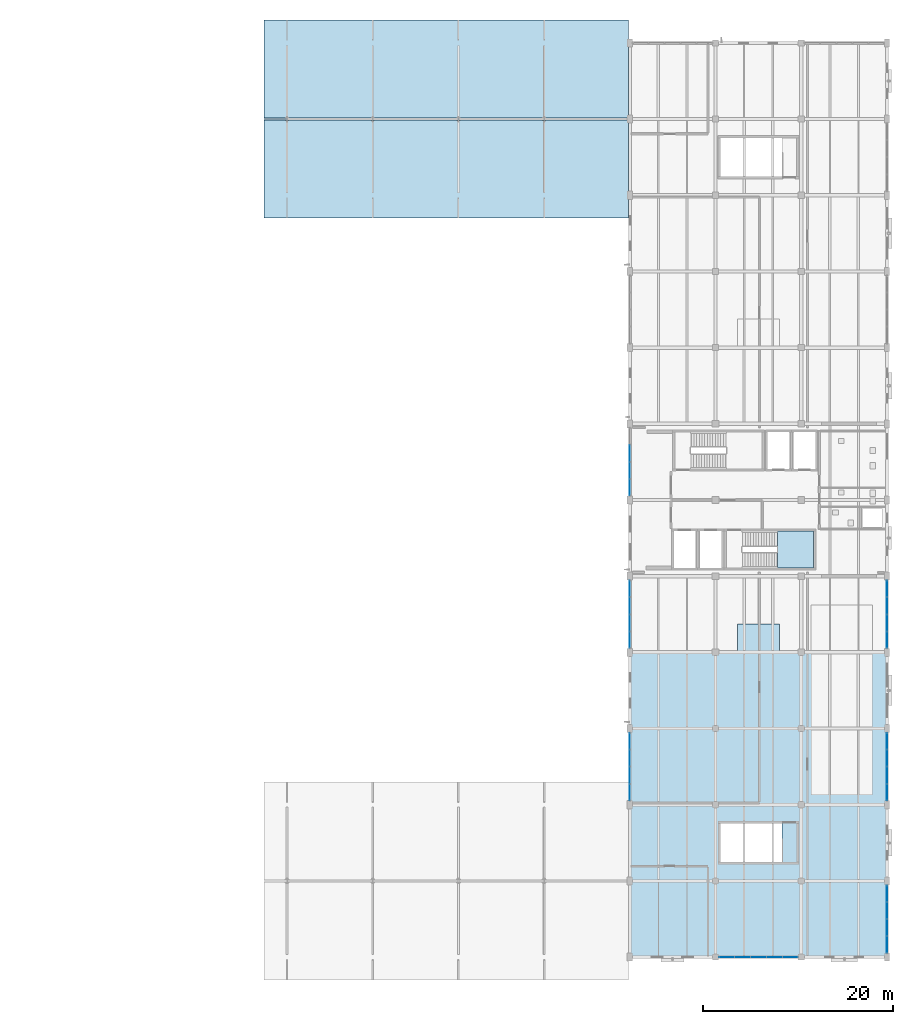
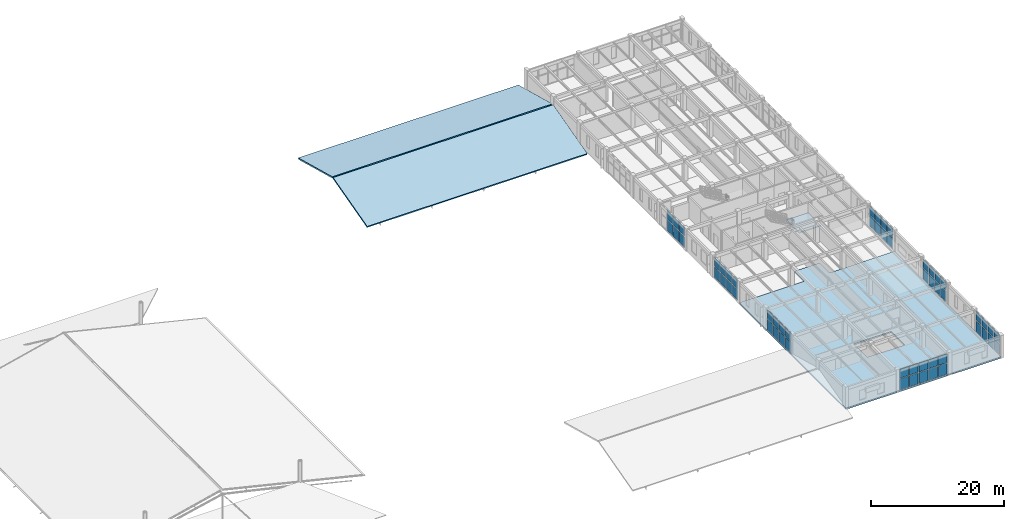
# One storey, part 56 of 71: 56 plates, 4 slabs, 9 elements without a shape of their own.
"""IFC4 building model written with IfcOpenShell, lengths in metres."""

from ifc_helpers import new_model, si_unit, derived_unit, direction, frame, origin, origin_2d, place, context, subcontext, project, spatial, polyline, rectangle, outline, extrude, material, layer, layer_set, type_object, element, aggregate, save


model = new_model("IFC4")

# Units and contexts
model_context = context("Model", 3, precision=1e-05, world=origin(), true_north=direction((0.0, 1.0)))
body_context = subcontext(model_context, "Body", "Model", "MODEL_VIEW")
ifc_project = project(units=[si_unit("LENGTHUNIT", "METRE"), si_unit("AREAUNIT", "SQUARE_METRE"), si_unit("VOLUMEUNIT", "CUBIC_METRE"), si_unit("PLANEANGLEUNIT", "RADIAN"), si_unit("MASSUNIT", "GRAM", prefix="KILO"), derived_unit("THERMALTRANSMITTANCEUNIT", [(si_unit("MASSUNIT", "GRAM", prefix="KILO"), 1), (si_unit("TIMEUNIT", "SECOND"), -3), (si_unit("THERMODYNAMICTEMPERATUREUNIT", "KELVIN"), -1)])], contexts=[model_context])

# Site, building, storey
site_placement = place(None, origin())
site = spatial("IfcSite", under=ifc_project, at=site_placement, CompositionType="ELEMENT")
building_placement = place(site_placement, origin())
building = spatial("IfcBuilding", under=site, at=building_placement, Name="Zhenchuan Archway Interchange", CompositionType="ELEMENT")
storey_placement = place(building_placement, frame((0.0, 0.0, 18.60009765625)))
storey = spatial("IfcBuildingStorey", under=building, at=storey_placement, Name="L04", CompositionType="ELEMENT", Elevation=18.60009765625)

# Curtain wall, plates
ifc_material_1 = material(Name="Anodised Aluminium", Category="aluminium")
curtain_wall_type_1 = type_object("IfcCurtainWallType", Name="CW_UNIT_1", PredefinedType="NOTDEFINED", material=ifc_material_1)
curtain_wall_1_placement = place(storey_placement, origin())
curtain_wall_1 = element("IfcCurtainWall", 1, at=curtain_wall_1_placement, inside=storey, type_object=curtain_wall_type_1, Name="Unitised curtain wall CW:L04:188", PredefinedType="NOTDEFINED")
ifc_material_2 = material(Name="Double Low-E Insulated Glazing", Category="glass")
ifc_layer_1 = layer(ifc_material_2, 0.028076171875)
ifc_layer_set_1 = layer_set([ifc_layer_1], Name="Double Low-E Insulated Glazing")
plate_type_1 = type_object("IfcPlateType", Name="CW_GLZ_1", PredefinedType="CURTAIN_PANEL", material=ifc_layer_set_1)
plate_1_placement = place(storey_placement, frame((160.855712890625, 8.0, 0.079833984375), z_axis=(0.0, 0.0, 1.0), x_axis=(-1.0, 0.0, 0.0)))
plate_1 = element("IfcPlate", 2, at=plate_1_placement, type_object=plate_type_1, Name="CW:L04:188 lower glazing panel 0", PredefinedType="CURTAIN_PANEL", context=body_context, shape_type="SweptSolid", body=[
    extrude(rectangle(XDim=1.522705078125, YDim=0.028076171875, at=origin_2d()), origin(), (0.0, 0.0, 1.0), 2.01611328125),
])
plate_2_placement = place(storey_placement, frame((159.182861328125, 8.0, 0.079833984375), z_axis=(0.0, 0.0, 1.0), x_axis=(-1.0, 0.0, 0.0)))
plate_2 = element("IfcPlate", 3, at=plate_2_placement, type_object=plate_type_1, Name="CW:L04:188 lower glazing panel 1", PredefinedType="CURTAIN_PANEL", context=body_context, shape_type="SweptSolid", body=[
    extrude(rectangle(XDim=1.542724609375, YDim=0.028076171875, at=origin_2d()), origin(), (0.0, 0.0, 1.0), 2.01611328125),
])
plate_3_placement = place(storey_placement, frame((157.5, 8.0, 0.079833984375), z_axis=(0.0, 0.0, 1.0), x_axis=(-1.0, 0.0, 0.0)))
plate_3 = element("IfcPlate", 4, at=plate_3_placement, type_object=plate_type_1, Name="CW:L04:188 lower glazing panel 2", PredefinedType="CURTAIN_PANEL", context=body_context, shape_type="SweptSolid", body=[
    extrude(rectangle(XDim=1.542724609375, YDim=0.028076171875, at=origin_2d()), origin(), (0.0, 0.0, 1.0), 2.01611328125),
])
plate_4_placement = place(storey_placement, frame((155.817138671875, 8.0, 0.079833984375), z_axis=(0.0, 0.0, 1.0), x_axis=(-1.0, 0.0, 0.0)))
plate_4 = element("IfcPlate", 5, at=plate_4_placement, type_object=plate_type_1, Name="CW:L04:188 lower glazing panel 3", PredefinedType="CURTAIN_PANEL", context=body_context, shape_type="SweptSolid", body=[
    extrude(rectangle(XDim=1.542724609375, YDim=0.028076171875, at=origin_2d()), origin(), (0.0, 0.0, 1.0), 2.01611328125),
])
plate_5_placement = place(storey_placement, frame((154.144287109375, 8.0, 0.079833984375), z_axis=(0.0, 0.0, 1.0), x_axis=(-1.0, 0.0, 0.0)))
plate_5 = element("IfcPlate", 6, at=plate_5_placement, type_object=plate_type_1, Name="CW:L04:188 lower glazing panel 4", PredefinedType="CURTAIN_PANEL", context=body_context, shape_type="SweptSolid", body=[
    extrude(rectangle(XDim=1.522705078125, YDim=0.028076171875, at=origin_2d()), origin(), (0.0, 0.0, 1.0), 2.01611328125),
])
ifc_layer_2 = layer(ifc_material_2, 0.02587890625)
ifc_layer_set_2 = layer_set([ifc_layer_2], Name="Double Low-E Insulated Glazing")
plate_type_2 = type_object("IfcPlateType", Name="CW_GLZ_2", PredefinedType="CURTAIN_PANEL", material=ifc_layer_set_2)
plate_6_placement = place(storey_placement, frame((160.855712890625, 8.0, 2.2158203125), z_axis=(0.0, 0.0, 1.0), x_axis=(-1.0, 0.0, 0.0)))
plate_6 = element("IfcPlate", 7, at=plate_6_placement, type_object=plate_type_2, Name="CW:L04:188 upper glazing panel 0", PredefinedType="CURTAIN_PANEL", context=body_context, shape_type="SweptSolid", body=[
    extrude(rectangle(XDim=1.522705078125, YDim=0.02587890625, at=origin_2d()), origin(), (0.0, 0.0, 1.0), 1.6240234375),
])
plate_7_placement = place(storey_placement, frame((159.182861328125, 8.0, 2.2158203125), z_axis=(0.0, 0.0, 1.0), x_axis=(-1.0, 0.0, 0.0)))
plate_7 = element("IfcPlate", 8, at=plate_7_placement, type_object=plate_type_2, Name="CW:L04:188 upper glazing panel 1", PredefinedType="CURTAIN_PANEL", context=body_context, shape_type="SweptSolid", body=[
    extrude(rectangle(XDim=1.542724609375, YDim=0.02587890625, at=origin_2d()), origin(), (0.0, 0.0, 1.0), 1.6240234375),
])
plate_8_placement = place(storey_placement, frame((157.5, 8.0, 2.2158203125), z_axis=(0.0, 0.0, 1.0), x_axis=(-1.0, 0.0, 0.0)))
plate_8 = element("IfcPlate", 9, at=plate_8_placement, type_object=plate_type_2, Name="CW:L04:188 upper glazing panel 2", PredefinedType="CURTAIN_PANEL", context=body_context, shape_type="SweptSolid", body=[
    extrude(rectangle(XDim=1.542724609375, YDim=0.02587890625, at=origin_2d()), origin(), (0.0, 0.0, 1.0), 1.6240234375),
])
plate_9_placement = place(storey_placement, frame((155.817138671875, 8.0, 2.2158203125), z_axis=(0.0, 0.0, 1.0), x_axis=(-1.0, 0.0, 0.0)))
plate_9 = element("IfcPlate", 10, at=plate_9_placement, type_object=plate_type_2, Name="CW:L04:188 upper glazing panel 3", PredefinedType="CURTAIN_PANEL", context=body_context, shape_type="SweptSolid", body=[
    extrude(rectangle(XDim=1.542724609375, YDim=0.02587890625, at=origin_2d()), origin(), (0.0, 0.0, 1.0), 1.6240234375),
])
plate_10_placement = place(storey_placement, frame((154.144287109375, 8.0, 2.2158203125), z_axis=(0.0, 0.0, 1.0), x_axis=(-1.0, 0.0, 0.0)))
plate_10 = element("IfcPlate", 11, at=plate_10_placement, type_object=plate_type_2, Name="CW:L04:188 upper glazing panel 4", PredefinedType="CURTAIN_PANEL", context=body_context, shape_type="SweptSolid", body=[
    extrude(rectangle(XDim=1.522705078125, YDim=0.02587890625, at=origin_2d()), origin(), (0.0, 0.0, 1.0), 1.6240234375),
])
aggregate(curtain_wall_1, [plate_1, plate_6, plate_2, plate_7, plate_3, plate_8, plate_4, plate_9, plate_5, plate_10])

curtain_wall_type_2 = type_object("IfcCurtainWallType", Name="CW_UNIT_2", PredefinedType="NOTDEFINED", material=ifc_material_1)
curtain_wall_2_placement = place(storey_placement, origin())
curtain_wall_2 = element("IfcCurtainWall", 12, at=curtain_wall_2_placement, inside=storey, type_object=curtain_wall_type_2, Name="Unitised curtain wall CW:L04:189", PredefinedType="NOTDEFINED")
ifc_layer_3 = layer(ifc_material_2, 0.030029296875)
ifc_layer_set_3 = layer_set([ifc_layer_3], Name="Double Low-E Insulated Glazing")
plate_type_3 = type_object("IfcPlateType", Name="CW_GLZ_3", PredefinedType="CURTAIN_PANEL", material=ifc_layer_set_3)
plate_11_placement = place(storey_placement, frame((144.0, 25.3046875, 0.079833984375), z_axis=(0.0, 0.0, 1.0), x_axis=(0.0, 1.0, 0.0)))
plate_11 = element("IfcPlate", 13, at=plate_11_placement, type_object=plate_type_3, Name="CW:L04:189 lower glazing panel 0", PredefinedType="CURTAIN_PANEL", context=body_context, shape_type="SweptSolid", body=[
    extrude(rectangle(XDim=1.6435546875, YDim=0.028076171875, at=origin_2d()), origin(), (0.0, 0.0, 1.0), 2.01611328125),
])
plate_12_placement = place(storey_placement, frame((144.0, 27.098388671875, 0.079833984375), z_axis=(0.0, 0.0, 1.0), x_axis=(0.0, 1.0, 0.0)))
plate_12 = element("IfcPlate", 14, at=plate_12_placement, type_object=plate_type_3, Name="CW:L04:189 lower glazing panel 1", PredefinedType="CURTAIN_PANEL", context=body_context, shape_type="SweptSolid", body=[
    extrude(rectangle(XDim=1.66357421875, YDim=0.028076171875, at=origin_2d()), origin(), (0.0, 0.0, 1.0), 2.01611328125),
])
plate_13_placement = place(storey_placement, frame((144.0, 28.901611328125, 0.079833984375), z_axis=(0.0, 0.0, 1.0), x_axis=(0.0, 1.0, 0.0)))
plate_13 = element("IfcPlate", 15, at=plate_13_placement, type_object=plate_type_3, Name="CW:L04:189 lower glazing panel 2", PredefinedType="CURTAIN_PANEL", context=body_context, shape_type="SweptSolid", body=[
    extrude(rectangle(XDim=1.66357421875, YDim=0.028076171875, at=origin_2d()), origin(), (0.0, 0.0, 1.0), 2.01611328125),
])
plate_14_placement = place(storey_placement, frame((144.0, 30.6953125, 0.079833984375), z_axis=(0.0, 0.0, 1.0), x_axis=(0.0, 1.0, 0.0)))
plate_14 = element("IfcPlate", 16, at=plate_14_placement, type_object=plate_type_3, Name="CW:L04:189 lower glazing panel 3", PredefinedType="CURTAIN_PANEL", context=body_context, shape_type="SweptSolid", body=[
    extrude(rectangle(XDim=1.6435546875, YDim=0.028076171875, at=origin_2d()), origin(), (0.0, 0.0, 1.0), 2.01611328125),
])

curtain_wall_type_3 = type_object("IfcCurtainWallType", Name="CW_UNIT_3", PredefinedType="NOTDEFINED", material=ifc_material_1)
curtain_wall_3_placement = place(storey_placement, origin())
curtain_wall_3 = element("IfcCurtainWall", 17, at=curtain_wall_3_placement, inside=storey, type_object=curtain_wall_type_3, Name="Unitised curtain wall CW:L04:190", PredefinedType="NOTDEFINED")
plate_15_placement = place(storey_placement, frame((144.0, 41.3046875, 0.079833984375), z_axis=(0.0, 0.0, 1.0), x_axis=(0.0, 1.0, 0.0)))
plate_15 = element("IfcPlate", 18, at=plate_15_placement, type_object=plate_type_3, Name="CW:L04:190 lower glazing panel 0", PredefinedType="CURTAIN_PANEL", context=body_context, shape_type="SweptSolid", body=[
    extrude(rectangle(XDim=1.6435546875, YDim=0.028076171875, at=origin_2d()), origin(), (0.0, 0.0, 1.0), 2.01611328125),
])
plate_16_placement = place(storey_placement, frame((144.0, 43.098388671875, 0.079833984375), z_axis=(0.0, 0.0, 1.0), x_axis=(0.0, 1.0, 0.0)))
plate_16 = element("IfcPlate", 19, at=plate_16_placement, type_object=plate_type_3, Name="CW:L04:190 lower glazing panel 1", PredefinedType="CURTAIN_PANEL", context=body_context, shape_type="SweptSolid", body=[
    extrude(rectangle(XDim=1.66357421875, YDim=0.028076171875, at=origin_2d()), origin(), (0.0, 0.0, 1.0), 2.01611328125),
])
plate_17_placement = place(storey_placement, frame((144.0, 44.901611328125, 0.079833984375), z_axis=(0.0, 0.0, 1.0), x_axis=(0.0, 1.0, 0.0)))
plate_17 = element("IfcPlate", 20, at=plate_17_placement, type_object=plate_type_3, Name="CW:L04:190 lower glazing panel 2", PredefinedType="CURTAIN_PANEL", context=body_context, shape_type="SweptSolid", body=[
    extrude(rectangle(XDim=1.66357421875, YDim=0.028076171875, at=origin_2d()), origin(), (0.0, 0.0, 1.0), 2.01611328125),
])
plate_18_placement = place(storey_placement, frame((144.0, 46.6953125, 0.079833984375), z_axis=(0.0, 0.0, 1.0), x_axis=(0.0, 1.0, 0.0)))
plate_18 = element("IfcPlate", 21, at=plate_18_placement, type_object=plate_type_3, Name="CW:L04:190 lower glazing panel 3", PredefinedType="CURTAIN_PANEL", context=body_context, shape_type="SweptSolid", body=[
    extrude(rectangle(XDim=1.6435546875, YDim=0.028076171875, at=origin_2d()), origin(), (0.0, 0.0, 1.0), 2.01611328125),
])

curtain_wall_type_4 = type_object("IfcCurtainWallType", Name="CW_UNIT_4", PredefinedType="NOTDEFINED", material=ifc_material_1)
curtain_wall_4_placement = place(storey_placement, origin())
curtain_wall_4 = element("IfcCurtainWall", 22, at=curtain_wall_4_placement, inside=storey, type_object=curtain_wall_type_4, Name="Unitised curtain wall CW:L04:191", PredefinedType="NOTDEFINED")
plate_19_placement = place(storey_placement, frame((144.0, 57.3046875, 0.079833984375), z_axis=(0.0, 0.0, 1.0), x_axis=(0.0, 1.0, 0.0)))
plate_19 = element("IfcPlate", 23, at=plate_19_placement, type_object=plate_type_3, Name="CW:L04:191 lower glazing panel 0", PredefinedType="CURTAIN_PANEL", context=body_context, shape_type="SweptSolid", body=[
    extrude(rectangle(XDim=1.6435546875, YDim=0.028076171875, at=origin_2d()), origin(), (0.0, 0.0, 1.0), 2.01611328125),
])
plate_20_placement = place(storey_placement, frame((144.0, 59.098388671875, 0.079833984375), z_axis=(0.0, 0.0, 1.0), x_axis=(0.0, 1.0, 0.0)))
plate_20 = element("IfcPlate", 24, at=plate_20_placement, type_object=plate_type_3, Name="CW:L04:191 lower glazing panel 1", PredefinedType="CURTAIN_PANEL", context=body_context, shape_type="SweptSolid", body=[
    extrude(rectangle(XDim=1.66357421875, YDim=0.028076171875, at=origin_2d()), origin(), (0.0, 0.0, 1.0), 2.01611328125),
])
plate_21_placement = place(storey_placement, frame((144.0, 60.901611328125, 0.079833984375), z_axis=(0.0, 0.0, 1.0), x_axis=(0.0, 1.0, 0.0)))
plate_21 = element("IfcPlate", 25, at=plate_21_placement, type_object=plate_type_3, Name="CW:L04:191 lower glazing panel 2", PredefinedType="CURTAIN_PANEL", context=body_context, shape_type="SweptSolid", body=[
    extrude(rectangle(XDim=1.66357421875, YDim=0.028076171875, at=origin_2d()), origin(), (0.0, 0.0, 1.0), 2.01611328125),
])

curtain_wall_5_placement = place(storey_placement, origin())
curtain_wall_5 = element("IfcCurtainWall", 26, at=curtain_wall_5_placement, inside=storey, type_object=curtain_wall_type_2, Name="Unitised curtain wall CW:L04:197", PredefinedType="NOTDEFINED")
plate_22_placement = place(storey_placement, frame((171.0, 46.6953125, 0.079833984375), z_axis=(0.0, 0.0, 1.0), x_axis=(0.0, -1.0, 0.0)))
plate_22 = element("IfcPlate", 27, at=plate_22_placement, type_object=plate_type_3, Name="CW:L04:197 lower glazing panel 0", PredefinedType="CURTAIN_PANEL", context=body_context, shape_type="SweptSolid", body=[
    extrude(rectangle(XDim=1.6435546875, YDim=0.028076171875, at=origin_2d()), origin(), (0.0, 0.0, 1.0), 2.01611328125),
])
plate_23_placement = place(storey_placement, frame((171.0, 44.901611328125, 0.079833984375), z_axis=(0.0, 0.0, 1.0), x_axis=(0.0, -1.0, 0.0)))
plate_23 = element("IfcPlate", 28, at=plate_23_placement, type_object=plate_type_3, Name="CW:L04:197 lower glazing panel 1", PredefinedType="CURTAIN_PANEL", context=body_context, shape_type="SweptSolid", body=[
    extrude(rectangle(XDim=1.66357421875, YDim=0.028076171875, at=origin_2d()), origin(), (0.0, 0.0, 1.0), 2.01611328125),
])
plate_24_placement = place(storey_placement, frame((171.0, 43.098388671875, 0.079833984375), z_axis=(0.0, 0.0, 1.0), x_axis=(0.0, -1.0, 0.0)))
plate_24 = element("IfcPlate", 29, at=plate_24_placement, type_object=plate_type_3, Name="CW:L04:197 lower glazing panel 2", PredefinedType="CURTAIN_PANEL", context=body_context, shape_type="SweptSolid", body=[
    extrude(rectangle(XDim=1.66357421875, YDim=0.028076171875, at=origin_2d()), origin(), (0.0, 0.0, 1.0), 2.01611328125),
])
plate_25_placement = place(storey_placement, frame((171.0, 41.3046875, 0.079833984375), z_axis=(0.0, 0.0, 1.0), x_axis=(0.0, -1.0, 0.0)))
plate_25 = element("IfcPlate", 30, at=plate_25_placement, type_object=plate_type_3, Name="CW:L04:197 lower glazing panel 3", PredefinedType="CURTAIN_PANEL", context=body_context, shape_type="SweptSolid", body=[
    extrude(rectangle(XDim=1.6435546875, YDim=0.028076171875, at=origin_2d()), origin(), (0.0, 0.0, 1.0), 2.01611328125),
])

curtain_wall_6_placement = place(storey_placement, origin())
curtain_wall_6 = element("IfcCurtainWall", 31, at=curtain_wall_6_placement, inside=storey, type_object=curtain_wall_type_3, Name="Unitised curtain wall CW:L04:198", PredefinedType="NOTDEFINED")
plate_26_placement = place(storey_placement, frame((171.0, 30.6953125, 0.079833984375), z_axis=(0.0, 0.0, 1.0), x_axis=(0.0, -1.0, 0.0)))
plate_26 = element("IfcPlate", 32, at=plate_26_placement, type_object=plate_type_3, Name="CW:L04:198 lower glazing panel 0", PredefinedType="CURTAIN_PANEL", context=body_context, shape_type="SweptSolid", body=[
    extrude(rectangle(XDim=1.6435546875, YDim=0.028076171875, at=origin_2d()), origin(), (0.0, 0.0, 1.0), 2.01611328125),
])
plate_27_placement = place(storey_placement, frame((171.0, 28.901611328125, 0.079833984375), z_axis=(0.0, 0.0, 1.0), x_axis=(0.0, -1.0, 0.0)))
plate_27 = element("IfcPlate", 33, at=plate_27_placement, type_object=plate_type_3, Name="CW:L04:198 lower glazing panel 1", PredefinedType="CURTAIN_PANEL", context=body_context, shape_type="SweptSolid", body=[
    extrude(rectangle(XDim=1.66357421875, YDim=0.028076171875, at=origin_2d()), origin(), (0.0, 0.0, 1.0), 2.01611328125),
])
plate_28_placement = place(storey_placement, frame((171.0, 27.098388671875, 0.079833984375), z_axis=(0.0, 0.0, 1.0), x_axis=(0.0, -1.0, 0.0)))
plate_28 = element("IfcPlate", 34, at=plate_28_placement, type_object=plate_type_3, Name="CW:L04:198 lower glazing panel 2", PredefinedType="CURTAIN_PANEL", context=body_context, shape_type="SweptSolid", body=[
    extrude(rectangle(XDim=1.66357421875, YDim=0.028076171875, at=origin_2d()), origin(), (0.0, 0.0, 1.0), 2.01611328125),
])
plate_29_placement = place(storey_placement, frame((171.0, 25.3046875, 0.079833984375), z_axis=(0.0, 0.0, 1.0), x_axis=(0.0, -1.0, 0.0)))
plate_29 = element("IfcPlate", 35, at=plate_29_placement, type_object=plate_type_3, Name="CW:L04:198 lower glazing panel 3", PredefinedType="CURTAIN_PANEL", context=body_context, shape_type="SweptSolid", body=[
    extrude(rectangle(XDim=1.6435546875, YDim=0.028076171875, at=origin_2d()), origin(), (0.0, 0.0, 1.0), 2.01611328125),
])

curtain_wall_7_placement = place(storey_placement, origin())
curtain_wall_7 = element("IfcCurtainWall", 36, at=curtain_wall_7_placement, inside=storey, type_object=curtain_wall_type_4, Name="Unitised curtain wall CW:L04:199", PredefinedType="NOTDEFINED")
plate_30_placement = place(storey_placement, frame((171.0, 14.6953125, 0.079833984375), z_axis=(0.0, 0.0, 1.0), x_axis=(0.0, -1.0, 0.0)))
plate_30 = element("IfcPlate", 37, at=plate_30_placement, type_object=plate_type_3, Name="CW:L04:199 lower glazing panel 0", PredefinedType="CURTAIN_PANEL", context=body_context, shape_type="SweptSolid", body=[
    extrude(rectangle(XDim=1.6435546875, YDim=0.028076171875, at=origin_2d()), origin(), (0.0, 0.0, 1.0), 2.01611328125),
])
plate_31_placement = place(storey_placement, frame((171.0, 12.901611328125, 0.079833984375), z_axis=(0.0, 0.0, 1.0), x_axis=(0.0, -1.0, 0.0)))
plate_31 = element("IfcPlate", 38, at=plate_31_placement, type_object=plate_type_3, Name="CW:L04:199 lower glazing panel 1", PredefinedType="CURTAIN_PANEL", context=body_context, shape_type="SweptSolid", body=[
    extrude(rectangle(XDim=1.66357421875, YDim=0.028076171875, at=origin_2d()), origin(), (0.0, 0.0, 1.0), 2.01611328125),
])
plate_32_placement = place(storey_placement, frame((171.0, 11.098388671875, 0.079833984375), z_axis=(0.0, 0.0, 1.0), x_axis=(0.0, -1.0, 0.0)))
plate_32 = element("IfcPlate", 39, at=plate_32_placement, type_object=plate_type_3, Name="CW:L04:199 lower glazing panel 2", PredefinedType="CURTAIN_PANEL", context=body_context, shape_type="SweptSolid", body=[
    extrude(rectangle(XDim=1.66357421875, YDim=0.028076171875, at=origin_2d()), origin(), (0.0, 0.0, 1.0), 2.01611328125),
])
plate_33_placement = place(storey_placement, frame((171.0, 9.3046875, 0.079833984375), z_axis=(0.0, 0.0, 1.0), x_axis=(0.0, -1.0, 0.0)))
plate_33 = element("IfcPlate", 40, at=plate_33_placement, type_object=plate_type_3, Name="CW:L04:199 lower glazing panel 3", PredefinedType="CURTAIN_PANEL", context=body_context, shape_type="SweptSolid", body=[
    extrude(rectangle(XDim=1.6435546875, YDim=0.028076171875, at=origin_2d()), origin(), (0.0, 0.0, 1.0), 2.01611328125),
])

# Plate
ifc_layer_4 = layer(ifc_material_2, 0.02392578125)
ifc_layer_set_4 = layer_set([ifc_layer_4], Name="Double Low-E Insulated Glazing")
plate_type_4 = type_object("IfcPlateType", Name="CW_GLZ_4", PredefinedType="CURTAIN_PANEL", material=ifc_layer_set_4)
plate_34_placement = place(storey_placement, frame((144.0, 25.3046875, 2.2158203125), z_axis=(0.0, 0.0, 1.0), x_axis=(0.0, 1.0, 0.0)))
plate_34 = element("IfcPlate", 41, at=plate_34_placement, type_object=plate_type_4, Name="CW:L04:189 upper glazing panel 0", PredefinedType="CURTAIN_PANEL", context=body_context, shape_type="SweptSolid", body=[
    extrude(rectangle(XDim=1.6435546875, YDim=0.02587890625, at=origin_2d()), origin(), (0.0, 0.0, 1.0), 1.6240234375),
])

plate_35_placement = place(storey_placement, frame((144.0, 27.098388671875, 2.2158203125), z_axis=(0.0, 0.0, 1.0), x_axis=(0.0, 1.0, 0.0)))
plate_35 = element("IfcPlate", 42, at=plate_35_placement, type_object=plate_type_4, Name="CW:L04:189 upper glazing panel 1", PredefinedType="CURTAIN_PANEL", context=body_context, shape_type="SweptSolid", body=[
    extrude(rectangle(XDim=1.66357421875, YDim=0.02587890625, at=origin_2d()), origin(), (0.0, 0.0, 1.0), 1.6240234375),
])

plate_36_placement = place(storey_placement, frame((144.0, 28.901611328125, 2.2158203125), z_axis=(0.0, 0.0, 1.0), x_axis=(0.0, 1.0, 0.0)))
plate_36 = element("IfcPlate", 43, at=plate_36_placement, type_object=plate_type_4, Name="CW:L04:189 upper glazing panel 2", PredefinedType="CURTAIN_PANEL", context=body_context, shape_type="SweptSolid", body=[
    extrude(rectangle(XDim=1.66357421875, YDim=0.02587890625, at=origin_2d()), origin(), (0.0, 0.0, 1.0), 1.6240234375),
])

plate_37_placement = place(storey_placement, frame((144.0, 30.6953125, 2.2158203125), z_axis=(0.0, 0.0, 1.0), x_axis=(0.0, 1.0, 0.0)))
plate_37 = element("IfcPlate", 44, at=plate_37_placement, type_object=plate_type_4, Name="CW:L04:189 upper glazing panel 3", PredefinedType="CURTAIN_PANEL", context=body_context, shape_type="SweptSolid", body=[
    extrude(rectangle(XDim=1.6435546875, YDim=0.02587890625, at=origin_2d()), origin(), (0.0, 0.0, 1.0), 1.6240234375),
])

aggregate(curtain_wall_2, [plate_11, plate_34, plate_12, plate_35, plate_13, plate_36, plate_14, plate_37])

plate_38_placement = place(storey_placement, frame((144.0, 41.3046875, 2.2158203125), z_axis=(0.0, 0.0, 1.0), x_axis=(0.0, 1.0, 0.0)))
plate_38 = element("IfcPlate", 45, at=plate_38_placement, type_object=plate_type_4, Name="CW:L04:190 upper glazing panel 0", PredefinedType="CURTAIN_PANEL", context=body_context, shape_type="SweptSolid", body=[
    extrude(rectangle(XDim=1.6435546875, YDim=0.02587890625, at=origin_2d()), origin(), (0.0, 0.0, 1.0), 1.6240234375),
])

plate_39_placement = place(storey_placement, frame((144.0, 43.098388671875, 2.2158203125), z_axis=(0.0, 0.0, 1.0), x_axis=(0.0, 1.0, 0.0)))
plate_39 = element("IfcPlate", 46, at=plate_39_placement, type_object=plate_type_4, Name="CW:L04:190 upper glazing panel 1", PredefinedType="CURTAIN_PANEL", context=body_context, shape_type="SweptSolid", body=[
    extrude(rectangle(XDim=1.66357421875, YDim=0.02587890625, at=origin_2d()), origin(), (0.0, 0.0, 1.0), 1.6240234375),
])

plate_40_placement = place(storey_placement, frame((144.0, 44.901611328125, 2.2158203125), z_axis=(0.0, 0.0, 1.0), x_axis=(0.0, 1.0, 0.0)))
plate_40 = element("IfcPlate", 47, at=plate_40_placement, type_object=plate_type_4, Name="CW:L04:190 upper glazing panel 2", PredefinedType="CURTAIN_PANEL", context=body_context, shape_type="SweptSolid", body=[
    extrude(rectangle(XDim=1.66357421875, YDim=0.02587890625, at=origin_2d()), origin(), (0.0, 0.0, 1.0), 1.6240234375),
])

plate_41_placement = place(storey_placement, frame((144.0, 46.6953125, 2.2158203125), z_axis=(0.0, 0.0, 1.0), x_axis=(0.0, 1.0, 0.0)))
plate_41 = element("IfcPlate", 48, at=plate_41_placement, type_object=plate_type_4, Name="CW:L04:190 upper glazing panel 3", PredefinedType="CURTAIN_PANEL", context=body_context, shape_type="SweptSolid", body=[
    extrude(rectangle(XDim=1.6435546875, YDim=0.02587890625, at=origin_2d()), origin(), (0.0, 0.0, 1.0), 1.6240234375),
])

aggregate(curtain_wall_3, [plate_15, plate_38, plate_16, plate_39, plate_17, plate_40, plate_18, plate_41])

plate_42_placement = place(storey_placement, frame((144.0, 57.3046875, 2.2158203125), z_axis=(0.0, 0.0, 1.0), x_axis=(0.0, 1.0, 0.0)))
plate_42 = element("IfcPlate", 49, at=plate_42_placement, type_object=plate_type_4, Name="CW:L04:191 upper glazing panel 0", PredefinedType="CURTAIN_PANEL", context=body_context, shape_type="SweptSolid", body=[
    extrude(rectangle(XDim=1.6435546875, YDim=0.02587890625, at=origin_2d()), origin(), (0.0, 0.0, 1.0), 1.6240234375),
])

plate_43_placement = place(storey_placement, frame((144.0, 59.098388671875, 2.2158203125), z_axis=(0.0, 0.0, 1.0), x_axis=(0.0, 1.0, 0.0)))
plate_43 = element("IfcPlate", 50, at=plate_43_placement, type_object=plate_type_4, Name="CW:L04:191 upper glazing panel 1", PredefinedType="CURTAIN_PANEL", context=body_context, shape_type="SweptSolid", body=[
    extrude(rectangle(XDim=1.66357421875, YDim=0.02587890625, at=origin_2d()), origin(), (0.0, 0.0, 1.0), 1.6240234375),
])

plate_44_placement = place(storey_placement, frame((144.0, 60.901611328125, 2.2158203125), z_axis=(0.0, 0.0, 1.0), x_axis=(0.0, 1.0, 0.0)))
plate_44 = element("IfcPlate", 51, at=plate_44_placement, type_object=plate_type_4, Name="CW:L04:191 upper glazing panel 2", PredefinedType="CURTAIN_PANEL", context=body_context, shape_type="SweptSolid", body=[
    extrude(rectangle(XDim=1.66357421875, YDim=0.02587890625, at=origin_2d()), origin(), (0.0, 0.0, 1.0), 1.6240234375),
])

aggregate(curtain_wall_4, [plate_19, plate_42, plate_20, plate_43, plate_21, plate_44])

plate_45_placement = place(storey_placement, frame((171.0, 46.6953125, 2.2158203125), z_axis=(0.0, 0.0, 1.0), x_axis=(0.0, -1.0, 0.0)))
plate_45 = element("IfcPlate", 52, at=plate_45_placement, type_object=plate_type_4, Name="CW:L04:197 upper glazing panel 0", PredefinedType="CURTAIN_PANEL", context=body_context, shape_type="SweptSolid", body=[
    extrude(rectangle(XDim=1.6435546875, YDim=0.02587890625, at=origin_2d()), origin(), (0.0, 0.0, 1.0), 1.6240234375),
])

plate_46_placement = place(storey_placement, frame((171.0, 44.901611328125, 2.2158203125), z_axis=(0.0, 0.0, 1.0), x_axis=(0.0, -1.0, 0.0)))
plate_46 = element("IfcPlate", 53, at=plate_46_placement, type_object=plate_type_4, Name="CW:L04:197 upper glazing panel 1", PredefinedType="CURTAIN_PANEL", context=body_context, shape_type="SweptSolid", body=[
    extrude(rectangle(XDim=1.66357421875, YDim=0.02587890625, at=origin_2d()), origin(), (0.0, 0.0, 1.0), 1.6240234375),
])

plate_47_placement = place(storey_placement, frame((171.0, 43.098388671875, 2.2158203125), z_axis=(0.0, 0.0, 1.0), x_axis=(0.0, -1.0, 0.0)))
plate_47 = element("IfcPlate", 54, at=plate_47_placement, type_object=plate_type_4, Name="CW:L04:197 upper glazing panel 2", PredefinedType="CURTAIN_PANEL", context=body_context, shape_type="SweptSolid", body=[
    extrude(rectangle(XDim=1.66357421875, YDim=0.02587890625, at=origin_2d()), origin(), (0.0, 0.0, 1.0), 1.6240234375),
])

plate_48_placement = place(storey_placement, frame((171.0, 41.3046875, 2.2158203125), z_axis=(0.0, 0.0, 1.0), x_axis=(0.0, -1.0, 0.0)))
plate_48 = element("IfcPlate", 55, at=plate_48_placement, type_object=plate_type_4, Name="CW:L04:197 upper glazing panel 3", PredefinedType="CURTAIN_PANEL", context=body_context, shape_type="SweptSolid", body=[
    extrude(rectangle(XDim=1.6435546875, YDim=0.02587890625, at=origin_2d()), origin(), (0.0, 0.0, 1.0), 1.6240234375),
])

aggregate(curtain_wall_5, [plate_22, plate_45, plate_23, plate_46, plate_24, plate_47, plate_25, plate_48])

plate_49_placement = place(storey_placement, frame((171.0, 30.6953125, 2.2158203125), z_axis=(0.0, 0.0, 1.0), x_axis=(0.0, -1.0, 0.0)))
plate_49 = element("IfcPlate", 56, at=plate_49_placement, type_object=plate_type_4, Name="CW:L04:198 upper glazing panel 0", PredefinedType="CURTAIN_PANEL", context=body_context, shape_type="SweptSolid", body=[
    extrude(rectangle(XDim=1.6435546875, YDim=0.02587890625, at=origin_2d()), origin(), (0.0, 0.0, 1.0), 1.6240234375),
])

plate_50_placement = place(storey_placement, frame((171.0, 28.901611328125, 2.2158203125), z_axis=(0.0, 0.0, 1.0), x_axis=(0.0, -1.0, 0.0)))
plate_50 = element("IfcPlate", 57, at=plate_50_placement, type_object=plate_type_4, Name="CW:L04:198 upper glazing panel 1", PredefinedType="CURTAIN_PANEL", context=body_context, shape_type="SweptSolid", body=[
    extrude(rectangle(XDim=1.66357421875, YDim=0.02587890625, at=origin_2d()), origin(), (0.0, 0.0, 1.0), 1.6240234375),
])

plate_51_placement = place(storey_placement, frame((171.0, 27.098388671875, 2.2158203125), z_axis=(0.0, 0.0, 1.0), x_axis=(0.0, -1.0, 0.0)))
plate_51 = element("IfcPlate", 58, at=plate_51_placement, type_object=plate_type_4, Name="CW:L04:198 upper glazing panel 2", PredefinedType="CURTAIN_PANEL", context=body_context, shape_type="SweptSolid", body=[
    extrude(rectangle(XDim=1.66357421875, YDim=0.02587890625, at=origin_2d()), origin(), (0.0, 0.0, 1.0), 1.6240234375),
])

plate_52_placement = place(storey_placement, frame((171.0, 25.3046875, 2.2158203125), z_axis=(0.0, 0.0, 1.0), x_axis=(0.0, -1.0, 0.0)))
plate_52 = element("IfcPlate", 59, at=plate_52_placement, type_object=plate_type_4, Name="CW:L04:198 upper glazing panel 3", PredefinedType="CURTAIN_PANEL", context=body_context, shape_type="SweptSolid", body=[
    extrude(rectangle(XDim=1.6435546875, YDim=0.02587890625, at=origin_2d()), origin(), (0.0, 0.0, 1.0), 1.6240234375),
])

aggregate(curtain_wall_6, [plate_26, plate_49, plate_27, plate_50, plate_28, plate_51, plate_29, plate_52])

plate_53_placement = place(storey_placement, frame((171.0, 14.6953125, 2.2158203125), z_axis=(0.0, 0.0, 1.0), x_axis=(0.0, -1.0, 0.0)))
plate_53 = element("IfcPlate", 60, at=plate_53_placement, type_object=plate_type_4, Name="CW:L04:199 upper glazing panel 0", PredefinedType="CURTAIN_PANEL", context=body_context, shape_type="SweptSolid", body=[
    extrude(rectangle(XDim=1.6435546875, YDim=0.02587890625, at=origin_2d()), origin(), (0.0, 0.0, 1.0), 1.6240234375),
])

plate_54_placement = place(storey_placement, frame((171.0, 12.901611328125, 2.2158203125), z_axis=(0.0, 0.0, 1.0), x_axis=(0.0, -1.0, 0.0)))
plate_54 = element("IfcPlate", 61, at=plate_54_placement, type_object=plate_type_4, Name="CW:L04:199 upper glazing panel 1", PredefinedType="CURTAIN_PANEL", context=body_context, shape_type="SweptSolid", body=[
    extrude(rectangle(XDim=1.66357421875, YDim=0.02587890625, at=origin_2d()), origin(), (0.0, 0.0, 1.0), 1.6240234375),
])

plate_55_placement = place(storey_placement, frame((171.0, 11.098388671875, 2.2158203125), z_axis=(0.0, 0.0, 1.0), x_axis=(0.0, -1.0, 0.0)))
plate_55 = element("IfcPlate", 62, at=plate_55_placement, type_object=plate_type_4, Name="CW:L04:199 upper glazing panel 2", PredefinedType="CURTAIN_PANEL", context=body_context, shape_type="SweptSolid", body=[
    extrude(rectangle(XDim=1.66357421875, YDim=0.02587890625, at=origin_2d()), origin(), (0.0, 0.0, 1.0), 1.6240234375),
])

plate_56_placement = place(storey_placement, frame((171.0, 9.3046875, 2.2158203125), z_axis=(0.0, 0.0, 1.0), x_axis=(0.0, -1.0, 0.0)))
plate_56 = element("IfcPlate", 63, at=plate_56_placement, type_object=plate_type_4, Name="CW:L04:199 upper glazing panel 3", PredefinedType="CURTAIN_PANEL", context=body_context, shape_type="SweptSolid", body=[
    extrude(rectangle(XDim=1.6435546875, YDim=0.02587890625, at=origin_2d()), origin(), (0.0, 0.0, 1.0), 1.6240234375),
])

aggregate(curtain_wall_7, [plate_30, plate_53, plate_31, plate_54, plate_32, plate_55, plate_33, plate_56])

# Slab
ifc_material_3 = material(Name="Concrete C35", Category="concrete")
ifc_layer_5 = layer(ifc_material_3, 0.27001953125)
ifc_layer_set_5 = layer_set([ifc_layer_5], Name="Concrete C35")
slab_type_1 = type_object("IfcSlabType", Name="SLB_FLR_270", PredefinedType="FLOOR", material=ifc_layer_set_5)
slab_1_placement = place(storey_placement, frame((0.0, 0.0, -0.27001953125)))
element("IfcSlab", 64, at=slab_1_placement, inside=storey, type_object=slab_type_1, Name="Structural slab L04 OPS-ES", PredefinedType="FLOOR", context=body_context, shape_type="SweptSolid", body=[
    extrude(outline(polyline([(171.0, 8.0), (144.0, 8.0), (144.0, 40.0), (155.302001953125, 40.0), (155.302001953125, 42.998046875), (159.697998046875, 42.998046875), (159.697998046875, 40.0), (171.0, 40.0), (171.0, 8.0)]), holes=[polyline([(159.97509765625, 17.97509765625), (159.97509765625, 22.02490234375), (153.5048828125, 22.02490234375), (153.5048828125, 17.97509765625), (159.97509765625, 17.97509765625)])]), origin(), (0.0, 0.0, 1.0), 0.27001953125),
])

# Stair, slab
stair_type = type_object("IfcStairType", Name="STR_HALF_1600", PredefinedType="HALF_TURN_STAIR", material=ifc_material_3)
stair_placement = place(storey_placement, origin())
stair = element("IfcStair", 65, at=stair_placement, inside=storey, type_object=stair_type, Name="Stair ST-O2 (L04)", PredefinedType="HALF_TURN_STAIR")
ifc_layer_6 = layer(ifc_material_3, 0.199951171875)
ifc_layer_set_6 = layer_set([ifc_layer_6], Name="Concrete C35")
slab_type_2 = type_object("IfcSlabType", Name="SLB_LANDING_200", PredefinedType="LANDING", material=ifc_layer_set_6)
slab_2_placement = place(storey_placement, frame((0.0, 0.0, 1.89990234375)))
slab_2 = element("IfcSlab", 66, at=slab_2_placement, type_object=slab_type_2, Name="Stair ST-O2 half-landing (L04)", PredefinedType="LANDING", context=body_context, shape_type="SweptSolid", body=[
    extrude(outline(polyline([(159.485107421875, 48.873046875), (163.277099609375, 48.873046875), (163.277099609375, 52.72705078125), (159.485107421875, 52.72705078125), (159.485107421875, 48.873046875)])), origin(), (0.0, 0.0, 1.0), 0.199951171875),
])
aggregate(stair, [slab_2])

# Roof, slabs
roof_type = type_object("IfcRoofType", Name="ROOF_LINGNAN_STORM", PredefinedType="GABLE_ROOF", material=ifc_material_3)
roof_placement = place(storey_placement, origin())
roof = element("IfcRoof", 67, at=roof_placement, inside=storey, type_object=roof_type, Name="Transit Operations 4-storey courtyard arm storm roofs", PredefinedType="GABLE_ROOF")
ifc_layer_7 = layer(ifc_material_3, 0.260009765625)
ifc_layer_set_7 = layer_set([ifc_layer_7], Name="Concrete C35")
slab_type_3 = type_object("IfcSlabType", Name="SLB_ROOF_260", PredefinedType="ROOF", material=ifc_layer_set_7)
slab_3_placement = place(storey_placement, frame((105.60009765625, 85.60009765625, -0.203125), z_axis=(0.0, -0.258877503478, 0.965910160519), x_axis=(1.0, 0.0, 0.0)))
slab_3 = element("IfcSlab", 68, at=slab_3_placement, type_object=slab_type_3, Name="North courtyard arm south storm roof slope", PredefinedType="ROOF", context=body_context, shape_type="SweptSolid", body=[
    extrude(outline(polyline([(0.0, 0.0), (38.27978515625, 0.0), (38.27978515625, 10.642589317759738), (0.0, 10.642589317759738), (0.0, 0.0)])), origin(), (0.0, 0.0, -1.0), 0.260009765625),
])
slab_4_placement = place(storey_placement, frame((105.60009765625, 96.1201171875, 2.552001953125), z_axis=(0.0, 0.258877503478, 0.965910160519), x_axis=(1.0, 0.0, 0.0)))
slab_4 = element("IfcSlab", 69, at=slab_4_placement, type_object=slab_type_3, Name="North courtyard arm north storm roof slope", PredefinedType="ROOF", context=body_context, shape_type="SweptSolid", body=[
    extrude(outline(polyline([(0.0, 0.0), (38.27978515625, 0.0), (38.27978515625, 10.642589317759738), (0.0, 10.642589317759738), (0.0, 0.0)])), origin(), (0.0, 0.0, -1.0), 0.260009765625),
])
aggregate(roof, [slab_3, slab_4])

save(model, "model.ifc")
